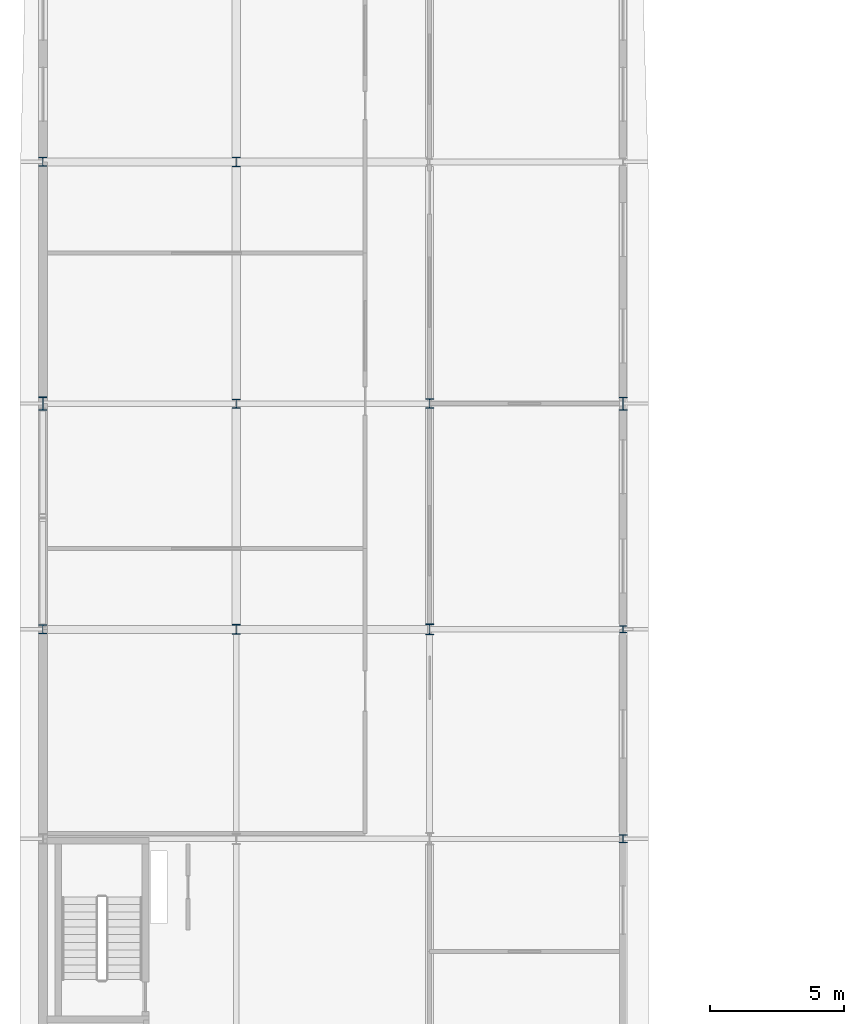
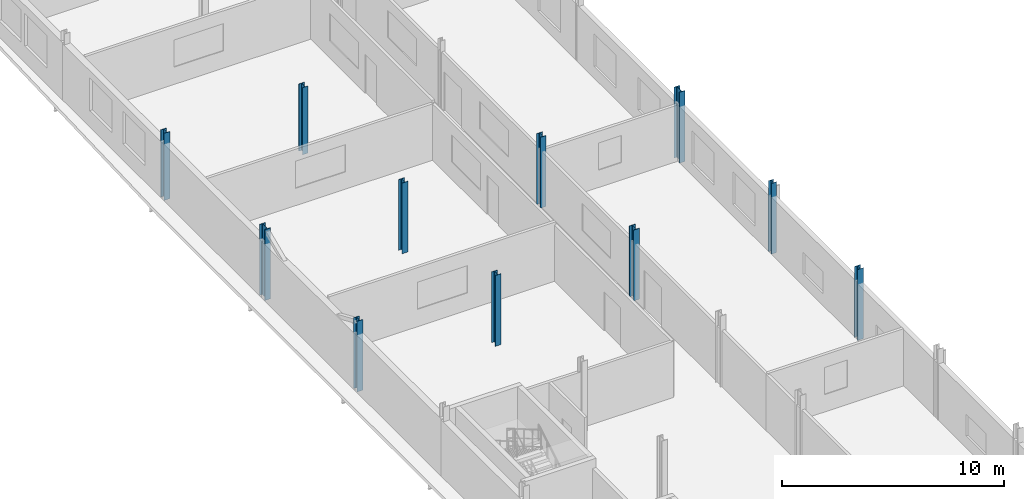
# One storey, part 3 of 30: 11 columns.
"""IFC4 building model written with IfcOpenShell, lengths in metres."""

from ifc_helpers import new_model, si_unit, direction, frame, origin, origin_2d, place, context, subcontext, project, spatial, i_section, extrude, material, material_profile, profile_set, type_object, element, save


model = new_model("IFC4")

# Units and contexts
model_context = context("Model", 3, precision=1e-05, world=origin(), true_north=direction((0.0, 1.0)))
body_context = subcontext(model_context, "Body", "Model", "MODEL_VIEW")
ifc_project = project(units=[si_unit("LENGTHUNIT", "METRE"), si_unit("AREAUNIT", "SQUARE_METRE"), si_unit("VOLUMEUNIT", "CUBIC_METRE"), si_unit("PLANEANGLEUNIT", "RADIAN"), si_unit("MASSUNIT", "GRAM", prefix="KILO")], contexts=[model_context])

# Site, building, storey
site_placement = place(None, origin())
site = spatial("IfcSite", under=ifc_project, at=site_placement, CompositionType="ELEMENT")
building_placement = place(site_placement, origin())
building = spatial("IfcBuilding", under=site, at=building_placement, Name="Vinh Khe Railworks Police Headquarters", CompositionType="ELEMENT")
storey_placement = place(building_placement, frame((0.0, 0.0, 21.0)))
storey = spatial("IfcBuildingStorey", under=building, at=storey_placement, Name="L05", CompositionType="ELEMENT", Elevation=21.0)

# Columns
ifc_material = material(Name="Steel S355JR", Category="steel")
ifc_material_profile_1 = material_profile(ifc_material, i_section(OverallWidth=0.300048828125, OverallDepth=0.330078125, WebThickness=0.009521484375, FlangeThickness=0.0166015625, FilletRadius=0.027099609375, at=origin_2d()), Name="HEA 340")
ifc_profile_set_1 = profile_set([ifc_material_profile_1], Name="Steel S355JR")
column_type_1 = type_object("IfcColumnType", Name="Steel Column HEA 340", PredefinedType="COLUMN", material=ifc_profile_set_1)
column_1_placement = place(storey_placement, frame((0.60009765625, 113.39990234375, 0.0), z_axis=(0.0, 0.0, 1.0), x_axis=(1.0, 0.0, 0.0)))
element("IfcColumn", 1, at=column_1_placement, inside=storey, type_object=column_type_1, Name="Column COL-L05-SC-17-0153", PredefinedType="COLUMN", context=body_context, shape_type="SweptSolid", body=[
    extrude(i_section(OverallWidth=0.300048828125, OverallDepth=0.330078125, WebThickness=0.009521484375, FlangeThickness=0.0166015625, FilletRadius=0.027099609375, at=origin_2d()), origin(), (0.0, 0.0, 1.0), 3.699951171875),
])
ifc_material_profile_2 = material_profile(ifc_material, i_section(OverallWidth=0.300048828125, OverallDepth=0.35009765625, WebThickness=0.010009765625, FlangeThickness=0.017578125, FilletRadius=0.027099609375, at=origin_2d()), Name="HEA 360")
ifc_profile_set_2 = profile_set([ifc_material_profile_2], Name="Steel S355JR")
column_type_2 = type_object("IfcColumnType", Name="Steel Column HEA 360", PredefinedType="COLUMN", material=ifc_profile_set_2)
column_2_placement = place(storey_placement, frame((7.800048828125, 113.39990234375, 0.0), z_axis=(0.0, 0.0, 1.0), x_axis=(1.0, 0.0, 0.0)))
element("IfcColumn", 2, at=column_2_placement, inside=storey, type_object=column_type_2, Name="Column COL-L05-SC-16-0320", PredefinedType="COLUMN", context=body_context, shape_type="SweptSolid", body=[
    extrude(i_section(OverallWidth=0.300048828125, OverallDepth=0.35009765625, WebThickness=0.010009765625, FlangeThickness=0.017578125, FilletRadius=0.027099609375, at=origin_2d()), origin(), (0.0, 0.0, 1.0), 3.699951171875),
])
ifc_material_profile_3 = material_profile(ifc_material, i_section(OverallWidth=0.300048828125, OverallDepth=0.489990234375, WebThickness=0.011962890625, FlangeThickness=0.02294921875, FilletRadius=0.027099609375, at=origin_2d()), Name="HEA 500")
ifc_profile_set_3 = profile_set([ifc_material_profile_3], Name="Steel S355JR")
column_type_3 = type_object("IfcColumnType", Name="Steel Column HEA 500", PredefinedType="COLUMN", material=ifc_profile_set_3)
column_3_placement = place(storey_placement, frame((22.199951171875, 104.39990234375, 0.0), z_axis=(0.0, 0.0, 1.0), x_axis=(1.0, 0.0, 0.0)))
element("IfcColumn", 3, at=column_3_placement, inside=storey, type_object=column_type_3, Name="Column COL-L05-SC-13-0631", PredefinedType="COLUMN", context=body_context, shape_type="SweptSolid", body=[
    extrude(i_section(OverallWidth=0.300048828125, OverallDepth=0.489990234375, WebThickness=0.011962890625, FlangeThickness=0.02294921875, FilletRadius=0.027099609375, at=origin_2d()), origin(), (0.0, 0.0, 1.0), 3.89990234375),
])
ifc_material_profile_4 = material_profile(ifc_material, i_section(OverallWidth=0.260009765625, OverallDepth=0.260009765625, WebThickness=0.010009765625, FlangeThickness=0.017578125, FilletRadius=0.02392578125, at=origin_2d()), Name="HEB 260")
ifc_profile_set_4 = profile_set([ifc_material_profile_4], Name="Steel S355JR")
column_type_4 = type_object("IfcColumnType", Name="Steel Column HEB 260", PredefinedType="COLUMN", material=ifc_profile_set_4)
column_4_placement = place(storey_placement, frame((22.199951171875, 96.0, 0.0), z_axis=(0.0, 0.0, 1.0), x_axis=(1.0, 0.0, 0.0)))
element("IfcColumn", 4, at=column_4_placement, inside=storey, type_object=column_type_4, Name="Column COL-L05-SC-12-0622", PredefinedType="COLUMN", context=body_context, shape_type="SweptSolid", body=[
    extrude(i_section(OverallWidth=0.260009765625, OverallDepth=0.260009765625, WebThickness=0.010009765625, FlangeThickness=0.017578125, FilletRadius=0.02392578125, at=origin_2d()), origin(), (0.0, 0.0, 1.0), 3.89990234375),
])
ifc_material_profile_5 = material_profile(ifc_material, i_section(OverallWidth=0.300048828125, OverallDepth=0.300048828125, WebThickness=0.010986328125, FlangeThickness=0.01904296875, FilletRadius=0.027099609375, at=origin_2d()), Name="HEB 300")
ifc_profile_set_5 = profile_set([ifc_material_profile_5], Name="Steel S355JR")
column_type_5 = type_object("IfcColumnType", Name="Steel Column HEB 300", PredefinedType="COLUMN", material=ifc_profile_set_5)
column_5_placement = place(storey_placement, frame((22.199951171875, 88.199951171875, 0.0), z_axis=(0.0, 0.0, 1.0), x_axis=(1.0, 0.0, 0.0)))
element("IfcColumn", 5, at=column_5_placement, inside=storey, type_object=column_type_5, Name="Column COL-L05-SC-11-0613", PredefinedType="COLUMN", context=body_context, shape_type="SweptSolid", body=[
    extrude(i_section(OverallWidth=0.300048828125, OverallDepth=0.300048828125, WebThickness=0.010986328125, FlangeThickness=0.01904296875, FilletRadius=0.027099609375, at=origin_2d()), origin(), (0.0, 0.0, 1.0), 3.89990234375),
])
ifc_material_profile_6 = material_profile(ifc_material, i_section(OverallWidth=0.300048828125, OverallDepth=0.340087890625, WebThickness=0.011962890625, FlangeThickness=0.021484375, FilletRadius=0.027099609375, at=origin_2d()), Name="HEB 340")
ifc_profile_set_6 = profile_set([ifc_material_profile_6], Name="Steel S355JR")
column_type_6 = type_object("IfcColumnType", Name="Steel Column HEB 340", PredefinedType="COLUMN", material=ifc_profile_set_6)
for number, where, z_axis, x_axis, name in (
    (6, (0.60009765625, 96.0, 0.0), (0.0, 0.0, 1.0), (1.0, 0.0, 0.0), "Column COL-L05-SC-10-0133"),
    (7, (7.800048828125, 104.39990234375, 0.0), (0.0, 0.0, 1.0), (1.0, 0.0, 0.0), "Column COL-L05-SC-10-0310"),
):
    element("IfcColumn", number, at=place(storey_placement, frame(where, z_axis=z_axis, x_axis=x_axis)), inside=storey, type_object=column_type_6, Name=name, PredefinedType="COLUMN", context=body_context, shape_type="SweptSolid", body=[
        extrude(i_section(OverallWidth=0.300048828125, OverallDepth=0.340087890625, WebThickness=0.011962890625, FlangeThickness=0.021484375, FilletRadius=0.027099609375, at=origin_2d()), origin(), (0.0, 0.0, 1.0), 3.89990234375),
    ])
ifc_material_profile_7 = material_profile(ifc_material, i_section(OverallWidth=0.300048828125, OverallDepth=0.360107421875, WebThickness=0.012451171875, FlangeThickness=0.0224609375, FilletRadius=0.027099609375, at=origin_2d()), Name="HEB 360")
ifc_profile_set_7 = profile_set([ifc_material_profile_7], Name="Steel S355JR")
column_type_7 = type_object("IfcColumnType", Name="Steel Column HEB 360", PredefinedType="COLUMN", material=ifc_profile_set_7)
for number, where, z_axis, x_axis, name in (
    (8, (7.800048828125, 96.0, 0.0), (0.0, 0.0, 1.0), (1.0, 0.0, 0.0), "Column COL-L05-SC-09-0300"),
    (9, (15.0, 104.39990234375, 0.0), (0.0, 0.0, 1.0), (1.0, 0.0, 0.0), "Column COL-L05-SC-09-0477"),
):
    element("IfcColumn", number, at=place(storey_placement, frame(where, z_axis=z_axis, x_axis=x_axis)), inside=storey, type_object=column_type_7, Name=name, PredefinedType="COLUMN", context=body_context, shape_type="SweptSolid", body=[
        extrude(i_section(OverallWidth=0.300048828125, OverallDepth=0.360107421875, WebThickness=0.012451171875, FlangeThickness=0.0224609375, FilletRadius=0.027099609375, at=origin_2d()), origin(), (0.0, 0.0, 1.0), 3.89990234375),
    ])
ifc_material_profile_8 = material_profile(ifc_material, i_section(OverallWidth=0.300048828125, OverallDepth=0.39990234375, WebThickness=0.013427734375, FlangeThickness=0.02392578125, FilletRadius=0.027099609375, at=origin_2d()), Name="HEB 400")
ifc_profile_set_8 = profile_set([ifc_material_profile_8], Name="Steel S355JR")
column_type_8 = type_object("IfcColumnType", Name="Steel Column HEB 400", PredefinedType="COLUMN", material=ifc_profile_set_8)
column_6_placement = place(storey_placement, frame((15.0, 96.0, 0.0), z_axis=(0.0, 0.0, 1.0), x_axis=(1.0, 0.0, 0.0)))
element("IfcColumn", 10, at=column_6_placement, inside=storey, type_object=column_type_8, Name="Column COL-L05-SC-08-0467", PredefinedType="COLUMN", context=body_context, shape_type="SweptSolid", body=[
    extrude(i_section(OverallWidth=0.300048828125, OverallDepth=0.39990234375, WebThickness=0.013427734375, FlangeThickness=0.02392578125, FilletRadius=0.027099609375, at=origin_2d()), origin(), (0.0, 0.0, 1.0), 3.89990234375),
])
ifc_material_profile_9 = material_profile(ifc_material, i_section(OverallWidth=0.300048828125, OverallDepth=0.5, WebThickness=0.014404296875, FlangeThickness=0.028076171875, FilletRadius=0.027099609375, at=origin_2d()), Name="HEB 500")
ifc_profile_set_9 = profile_set([ifc_material_profile_9], Name="Steel S355JR")
column_type_9 = type_object("IfcColumnType", Name="Steel Column HEB 500", PredefinedType="COLUMN", material=ifc_profile_set_9)
column_7_placement = place(storey_placement, frame((0.60009765625, 104.39990234375, 0.0), z_axis=(0.0, 0.0, 1.0), x_axis=(1.0, 0.0, 0.0)))
element("IfcColumn", 11, at=column_7_placement, inside=storey, type_object=column_type_9, Name="Column COL-L05-SC-06-0143", PredefinedType="COLUMN", context=body_context, shape_type="SweptSolid", body=[
    extrude(i_section(OverallWidth=0.300048828125, OverallDepth=0.5, WebThickness=0.014404296875, FlangeThickness=0.028076171875, FilletRadius=0.027099609375, at=origin_2d()), origin(), (0.0, 0.0, 1.0), 3.89990234375),
])

save(model, "model.ifc")
